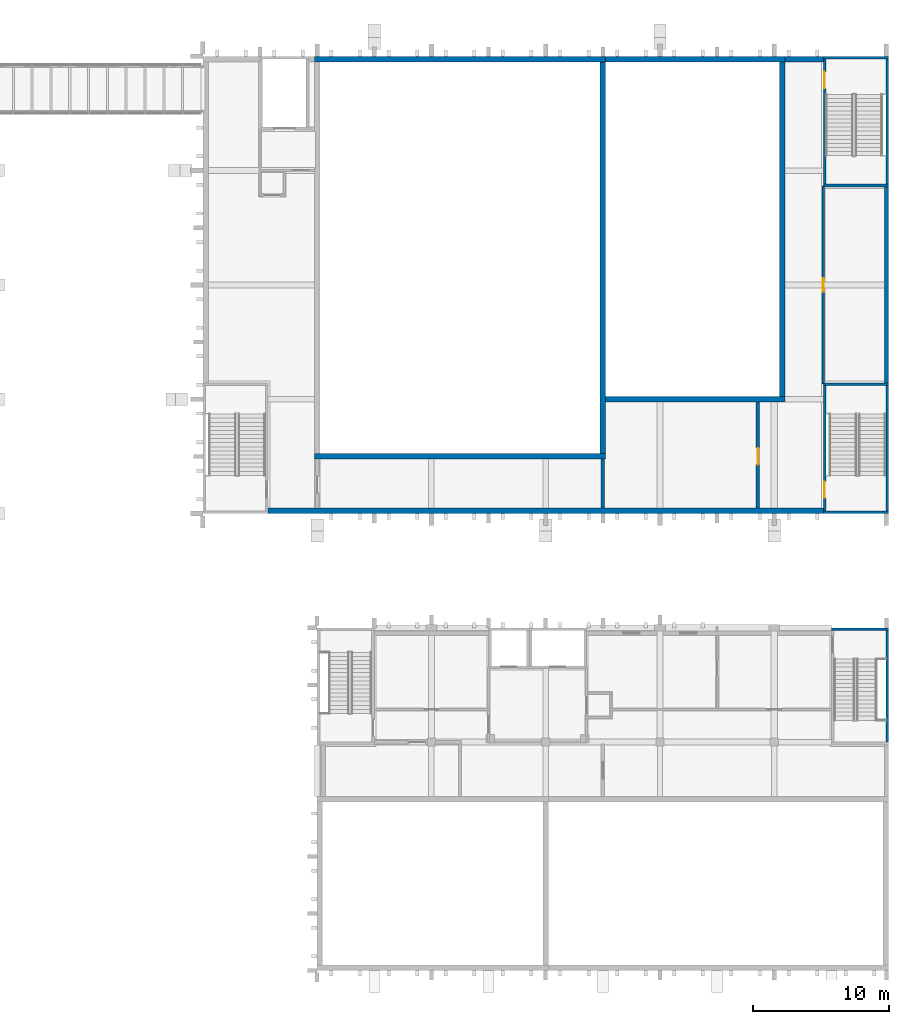
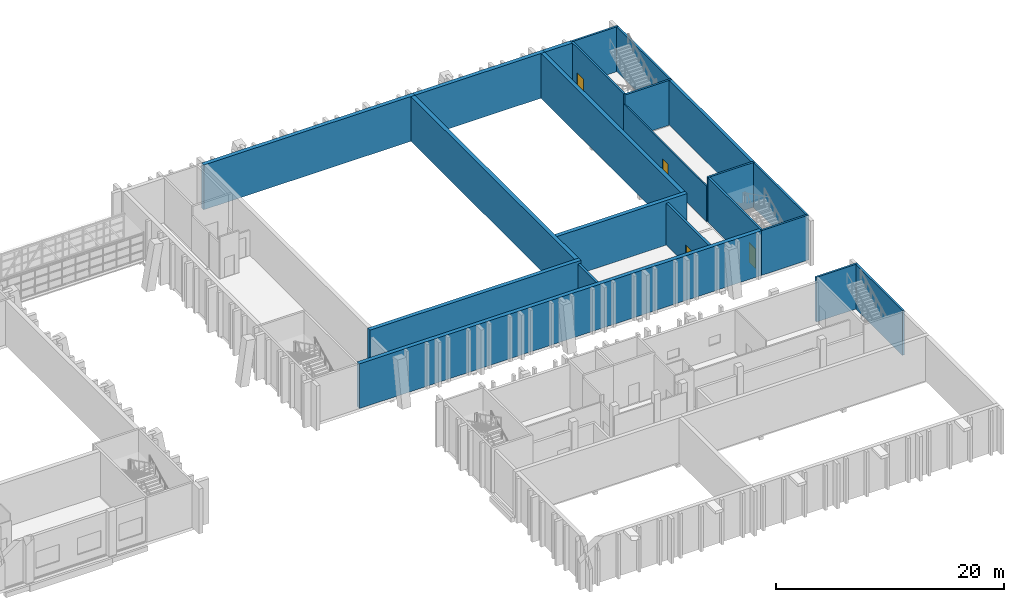
# One storey, part 40 of 91: 22 walls, 4 doors, 4 openings.
"""IFC4 building model written with IfcOpenShell, lengths in metres."""

from ifc_helpers import new_model, si_unit, direction, frame, frame_2d, origin, place, context, subcontext, project, spatial, rectangle, extrude, material, layer, layer_set, type_object, element, fill, save


model = new_model("IFC4")

# Units and contexts
model_context = context("Model", 3, precision=1e-05, world=origin(), true_north=direction((0.0, 1.0)))
body_context = subcontext(model_context, "Body", "Model", "MODEL_VIEW")
ifc_project = project(units=[si_unit("LENGTHUNIT", "METRE"), si_unit("AREAUNIT", "SQUARE_METRE"), si_unit("VOLUMEUNIT", "CUBIC_METRE"), si_unit("PLANEANGLEUNIT", "RADIAN"), si_unit("MASSUNIT", "GRAM", prefix="KILO")], contexts=[model_context])

# Site, building, storey
site_placement = place(None, origin())
site = spatial("IfcSite", under=ifc_project, at=site_placement, CompositionType="ELEMENT")
building_placement = place(site_placement, origin())
building = spatial("IfcBuilding", under=site, at=building_placement, Name="Kiln Court Media Centre", CompositionType="ELEMENT")
storey_placement = place(building_placement, frame((0.0, 0.0, 5.39990234375)))
storey = spatial("IfcBuildingStorey", under=building, at=storey_placement, Name="L01", CompositionType="ELEMENT", Elevation=5.39990234375)

# Walls
ifc_material_1 = material(Name="Concrete C40/50", Category="concrete")
ifc_layer_1 = layer(ifc_material_1, 0.39990234375)
ifc_layer_set_1 = layer_set([ifc_layer_1], Name="Concrete C40/50 auditorium wall 400")
wall_type_1 = type_object("IfcWallType", Name="Concrete C40/50 auditorium wall 400", PredefinedType="SHEAR", material=ifc_layer_set_1)
wall_1_placement = place(storey_placement, frame((163.199951171875, 33.800048828125, 0.0), z_axis=(0.0, 0.0, 1.0), x_axis=(-1.0, 0.0, 0.0)))
element("IfcWall", 1, at=wall_1_placement, inside=storey, type_object=wall_type_1, Name="L01-W-1142", PredefinedType="SHEAR", context=body_context, shape_type="SweptSolid", body=[
    extrude(rectangle(XDim=40.800048828125, YDim=0.39990234375, at=frame_2d((20.39990234375, 0.0))), origin(), (0.0, 0.0, 1.0), 4.800048828125),
])
wall_2_placement = place(storey_placement, frame((160.39990234375, 67.0, 0.0), z_axis=(0.0, 0.0, 1.0), x_axis=(1.0, 0.0, 0.0)))
element("IfcWall", 2, at=wall_2_placement, inside=storey, type_object=wall_type_1, Name="L01-W-1145", PredefinedType="SHEAR", context=body_context, shape_type="SweptSolid", body=[
    extrude(rectangle(XDim=2.800048828125, YDim=0.39990234375, at=frame_2d((1.39990234375, 0.0))), origin(), (0.0, 0.0, 1.0), 4.800048828125),
])
ifc_material_2 = material(Name="Concrete C40/50", Category="concrete")
ifc_layer_2 = layer(ifc_material_2, 0.300048828125)
ifc_layer_set_2 = layer_set([ifc_layer_2], Name="Concrete C40/50 party wall 300")
wall_type_2 = type_object("IfcWallType", Name="Concrete C40/50 party wall 300", PredefinedType="SOLIDWALL", material=ifc_layer_set_2)
wall_3_placement = place(storey_placement, frame((167.849609375, 57.60009765625, 0.0), z_axis=(0.0, 0.0, 1.0), x_axis=(0.0, -1.0, 0.0)))
element("IfcWall", 3, at=wall_3_placement, inside=storey, type_object=wall_type_2, Name="L01-W-1139", PredefinedType="SOLIDWALL", context=body_context, shape_type="SweptSolid", body=[
    extrude(rectangle(XDim=14.400146484375, YDim=0.300048828125, at=frame_2d((7.2001953125, 0.0))), origin(), (0.0, 0.0, 1.0), 4.800048828125),
])
ifc_material_3 = material(Name="Concrete C40/50", Category="concrete")
ifc_layer_3 = layer(ifc_material_3, 0.199951171875)
ifc_layer_set_3 = layer_set([ifc_layer_3], Name="Concrete C40/50 shear wall 200")
wall_type_3 = type_object("IfcWallType", Name="Concrete C40/50 shear wall 200", PredefinedType="SHEAR", material=ifc_layer_set_3)
for number, where, z_axis, x_axis, name in (
    (4, (167.99951171875, 33.699951171875, 0.0), (0.0, 0.0, 1.0), (-1.0, 0.0, 0.0), "L01-W-1052"),
    (5, (163.199951171875, 43.10009765625, 0.0), (0.0, 0.0, 1.0), (1.0, 0.0, 0.0), "L01-W-1053"),
):
    element("IfcWall", number, at=place(storey_placement, frame(where, z_axis=z_axis, x_axis=x_axis)), inside=storey, type_object=wall_type_3, Name=name, PredefinedType="SHEAR", context=body_context, shape_type="SweptSolid", body=[
        extrude(rectangle(XDim=4.799560546875, YDim=0.199951171875, at=frame_2d((2.39990234375, 0.0))), origin(), (0.0, 0.0, 1.0), 4.800048828125),
    ])

# Wall, opening, door
wall_4_placement = place(storey_placement, frame((163.300048828125, 33.800048828125, 0.0), z_axis=(0.0, 0.0, 1.0), x_axis=(0.0, 1.0, 0.0)))
wall_4 = element("IfcWall", 6, at=wall_4_placement, inside=storey, type_object=wall_type_3, Name="L01-W-1054", PredefinedType="SHEAR", context=body_context, shape_type="SweptSolid", body=[
    extrude(rectangle(XDim=9.199951171875, YDim=0.199951171875, at=frame_2d((4.60009765625, 0.0))), origin(), (0.0, 0.0, 1.0), 4.800048828125),
])
opening_1_placement = place(wall_4_placement, frame((0.949951171875, 0.0, 0.0)))
opening_1 = element("IfcOpeningElement", 7, at=opening_1_placement, cuts=wall_4, Name="Opening D1005", PredefinedType="OPENING", context=body_context, shape_type="SweptSolid", body=[
    extrude(rectangle(XDim=1.199951171875, YDim=2.10009765625, at=frame_2d((0.60009765625, 1.050048828125))), frame((0.0, 0.10986328125, 0.0), z_axis=(0.0, -1.0, 0.0), x_axis=(1.0, 0.0, 0.0)), (0.0, 0.0, 1.0), 0.219970703125),
])
ifc_material_4 = material(Name="Steel S275", Category="steel")
door_type_1 = type_object("IfcDoorType", Name="Steel stair door 1200 x 2100 FD180", OperationType="SINGLE_SWING_LEFT", PredefinedType="DOOR", material=ifc_material_4)
door_1_placement = place(opening_1_placement, origin())
door_1 = element("IfcDoor", 8, at=door_1_placement, inside=storey, type_object=door_type_1, Name="Control Gallery / Stair 14", OperationType="SINGLE_SWING_LEFT", OverallHeight=2.10009765625, OverallWidth=1.199951171875, PredefinedType="DOOR", context=body_context, shape_type="SweptSolid", body=[
    extrude(rectangle(XDim=1.199951171875, YDim=2.10009765625, at=frame_2d((0.60009765625, 1.050048828125))), frame((0.0, 0.02490234375, 0.0), z_axis=(0.0, -1.0, 0.0), x_axis=(1.0, 0.0, 0.0)), (0.0, 0.0, 1.0), 0.050048828125),
])
fill(opening_1, door_1)

# Walls
wall_5_placement = place(storey_placement, frame((167.899658203125, 43.0, 0.0), z_axis=(0.0, 0.0, 1.0), x_axis=(0.0, -1.0, 0.0)))
element("IfcWall", 9, at=wall_5_placement, inside=storey, type_object=wall_type_3, Name="L01-W-1055", PredefinedType="SHEAR", context=body_context, shape_type="SweptSolid", body=[
    extrude(rectangle(XDim=9.199951171875, YDim=0.199951171875, at=frame_2d((4.60009765625, 0.0))), origin(), (0.0, 0.0, 1.0), 4.800048828125),
])
for number, where, z_axis, x_axis, name in (
    (10, (167.99951171875, 57.699951171875, 0.0), (0.0, 0.0, 1.0), (-1.0, 0.0, 0.0), "L01-W-1056"),
    (11, (163.199951171875, 67.10009765625, 0.0), (0.0, 0.0, 1.0), (1.0, 0.0, 0.0), "L01-W-1057"),
):
    element("IfcWall", number, at=place(storey_placement, frame(where, z_axis=z_axis, x_axis=x_axis)), inside=storey, type_object=wall_type_3, Name=name, PredefinedType="SHEAR", context=body_context, shape_type="SweptSolid", body=[
        extrude(rectangle(XDim=4.799560546875, YDim=0.199951171875, at=frame_2d((2.39990234375, 0.0))), origin(), (0.0, 0.0, 1.0), 4.800048828125),
    ])

# Wall, opening, door
wall_6_placement = place(storey_placement, frame((163.300048828125, 57.800048828125, 0.0), z_axis=(0.0, 0.0, 1.0), x_axis=(0.0, 1.0, 0.0)))
wall_6 = element("IfcWall", 12, at=wall_6_placement, inside=storey, type_object=wall_type_3, Name="L01-W-1058", PredefinedType="SHEAR", context=body_context, shape_type="SweptSolid", body=[
    extrude(rectangle(XDim=9.199951171875, YDim=0.199951171875, at=frame_2d((4.60009765625, 0.0))), origin(), (0.0, 0.0, 1.0), 4.800048828125),
])
opening_2_placement = place(wall_6_placement, frame((7.050048828125, 0.0, 0.0)))
opening_2 = element("IfcOpeningElement", 13, at=opening_2_placement, cuts=wall_6, Name="Opening D1006", PredefinedType="OPENING", context=body_context, shape_type="SweptSolid", body=[
    extrude(rectangle(XDim=1.199951171875, YDim=2.10009765625, at=frame_2d((0.60009765625, 1.050048828125))), frame((0.0, 0.10986328125, 0.0), z_axis=(0.0, -1.0, 0.0), x_axis=(1.0, 0.0, 0.0)), (0.0, 0.0, 1.0), 0.219970703125),
])
door_2_placement = place(opening_2_placement, origin())
door_2 = element("IfcDoor", 14, at=door_2_placement, inside=storey, type_object=door_type_1, Name="Studio B Corridor / Stair 15", OperationType="SINGLE_SWING_RIGHT", OverallHeight=2.10009765625, OverallWidth=1.199951171875, PredefinedType="DOOR", context=body_context, shape_type="SweptSolid", body=[
    extrude(rectangle(XDim=1.199951171875, YDim=2.10009765625, at=frame_2d((0.60009765625, 1.050048828125))), frame((0.0, 0.02490234375, 0.0), z_axis=(0.0, -1.0, 0.0), x_axis=(1.0, 0.0, 0.0)), (0.0, 0.0, 1.0), 0.050048828125),
])
fill(opening_2, door_2)

# Walls
wall_7_placement = place(storey_placement, frame((167.899658203125, 67.0, 0.0), z_axis=(0.0, 0.0, 1.0), x_axis=(0.0, -1.0, 0.0)))
element("IfcWall", 15, at=wall_7_placement, inside=storey, type_object=wall_type_3, Name="L01-W-1059", PredefinedType="SHEAR", context=body_context, shape_type="SweptSolid", body=[
    extrude(rectangle(XDim=9.199951171875, YDim=0.199951171875, at=frame_2d((4.60009765625, 0.0))), origin(), (0.0, 0.0, 1.0), 4.800048828125),
])
wall_8_placement = place(storey_placement, frame((163.800048828125, 25.10009765625, 0.0), z_axis=(0.0, 0.0, 1.0), x_axis=(1.0, 0.0, 0.0)))
element("IfcWall", 16, at=wall_8_placement, inside=storey, type_object=wall_type_3, Name="L01-W-1065", PredefinedType="SHEAR", context=body_context, shape_type="SweptSolid", body=[
    extrude(rectangle(XDim=4.199462890625, YDim=0.199951171875, at=frame_2d((2.099609375, 0.0))), origin(), (0.0, 0.0, 1.0), 4.800048828125),
])
wall_9_placement = place(storey_placement, frame((167.899658203125, 25.0, 0.0), z_axis=(0.0, 0.0, 1.0), x_axis=(0.0, -1.0, 0.0)))
element("IfcWall", 17, at=wall_9_placement, inside=storey, type_object=wall_type_3, Name="L01-W-1067", PredefinedType="SHEAR", context=body_context, shape_type="SweptSolid", body=[
    extrude(rectangle(XDim=8.199951171875, YDim=0.199951171875, at=frame_2d((4.10009765625, 0.0))), origin(), (0.0, 0.0, 1.0), 4.800048828125),
])
ifc_material_5 = material(Name="Concrete C40/50", Category="concrete")
ifc_layer_4 = layer(ifc_material_5, 0.39990234375)
ifc_layer_set_4 = layer_set([ifc_layer_4], Name="Concrete C40/50 studio wall 400")
wall_type_4 = type_object("IfcWallType", Name="Concrete C40/50 studio wall 400", PredefinedType="SHEAR", material=ifc_layer_set_4)
for number, where, z_axis, x_axis, name in (
    (18, (147.199951171875, 37.800048828125, 0.0), (0.0, 0.0, 1.0), (-1.0, 0.0, 0.0), "L01-W-1125"),
    (19, (125.800048828125, 67.0, 0.0), (0.0, 0.0, 1.0), (1.0, 0.0, 0.0), "L01-W-1126"),
):
    element("IfcWall", number, at=place(storey_placement, frame(where, z_axis=z_axis, x_axis=x_axis)), inside=storey, type_object=wall_type_4, Name=name, PredefinedType="SHEAR", context=body_context, shape_type="SweptSolid", body=[
        extrude(rectangle(XDim=21.39990234375, YDim=0.39990234375, at=frame_2d((10.699951171875, 0.0))), origin(), (0.0, 0.0, 1.0), 4.800048828125),
    ])
wall_10_placement = place(storey_placement, frame((147.0, 66.800048828125, 0.0), z_axis=(0.0, 0.0, 1.0), x_axis=(0.0, -1.0, 0.0)))
element("IfcWall", 20, at=wall_10_placement, inside=storey, type_object=wall_type_4, Name="L01-W-1128", PredefinedType="SHEAR", context=body_context, shape_type="SweptSolid", body=[
    extrude(rectangle(XDim=28.800048828125, YDim=0.39990234375, at=frame_2d((14.39990234375, 0.0))), origin(), (0.0, 0.0, 1.0), 4.800048828125),
])
for number, where, z_axis, x_axis, name in (
    (21, (160.39990234375, 42.0, 0.0), (0.0, 0.0, 1.0), (-1.0, 0.0, 0.0), "L01-W-1129"),
    (22, (147.199951171875, 67.0, 0.0), (0.0, 0.0, 1.0), (1.0, 0.0, 0.0), "L01-W-1130"),
):
    element("IfcWall", number, at=place(storey_placement, frame(where, z_axis=z_axis, x_axis=x_axis)), inside=storey, type_object=wall_type_4, Name=name, PredefinedType="SHEAR", context=body_context, shape_type="SweptSolid", body=[
        extrude(rectangle(XDim=13.199951171875, YDim=0.39990234375, at=frame_2d((6.60009765625, 0.0))), origin(), (0.0, 0.0, 1.0), 4.800048828125),
    ])
wall_11_placement = place(storey_placement, frame((160.199951171875, 66.800048828125, 0.0), z_axis=(0.0, 0.0, 1.0), x_axis=(0.0, -1.0, 0.0)))
element("IfcWall", 23, at=wall_11_placement, inside=storey, type_object=wall_type_4, Name="L01-W-1131", PredefinedType="SHEAR", context=body_context, shape_type="SweptSolid", body=[
    extrude(rectangle(XDim=24.60009765625, YDim=0.39990234375, at=frame_2d((12.300048828125, 0.0))), origin(), (0.0, 0.0, 1.0), 4.800048828125),
])
ifc_material_6 = material(Name="Gypsum plasterboard", Category="gypsum")
ifc_layer_5 = layer(ifc_material_6, 0.25)
ifc_layer_set_5 = layer_set([ifc_layer_5], Name="Double-leaf acoustic wall 250 EI 120")
wall_type_5 = type_object("IfcWallType", Name="Double-leaf acoustic wall 250 EI 120", PredefinedType="PARTITIONING", material=ifc_layer_set_5)
wall_12_placement = place(storey_placement, frame((147.0, 34.0, 0.0), z_axis=(0.0, 0.0, 1.0), x_axis=(0.0, 1.0, 0.0)))
element("IfcWall", 24, at=wall_12_placement, inside=storey, type_object=wall_type_5, Name="L01 double-leaf acoustic wall", PredefinedType="PARTITIONING", context=body_context, shape_type="SweptSolid", body=[
    extrude(rectangle(XDim=3.60009765625, YDim=0.25, at=frame_2d((1.800048828125, 0.0))), origin(), (0.0, 0.0, 1.0), 4.5),
])

# Wall, opening, door
wall_13_placement = place(storey_placement, frame((158.39990234375, 34.0, 0.0), z_axis=(0.0, 0.0, 1.0), x_axis=(0.0, 1.0, 0.0)))
wall_13 = element("IfcWall", 25, at=wall_13_placement, inside=storey, type_object=wall_type_5, Name="L01 double-leaf acoustic wall", PredefinedType="PARTITIONING", context=body_context, shape_type="SweptSolid", body=[
    extrude(rectangle(XDim=7.800048828125, YDim=0.25, at=frame_2d((3.89990234375, 0.0))), origin(), (0.0, 0.0, 1.0), 4.5),
])
opening_3_placement = place(wall_13_placement, frame((3.199951171875, 0.0, 0.0)))
opening_3 = element("IfcOpeningElement", 26, at=opening_3_placement, cuts=wall_13, Name="Opening D1028", PredefinedType="OPENING", context=body_context, shape_type="SweptSolid", body=[
    extrude(rectangle(XDim=1.199951171875, YDim=2.10009765625, at=frame_2d((0.60009765625, 1.050048828125))), frame((0.0, 0.135009765625, 0.0), z_axis=(0.0, -1.0, 0.0), x_axis=(1.0, 0.0, 0.0)), (0.0, 0.0, 1.0), 0.27001953125),
])
ifc_material_7 = material(Name="Steel S275", Category="steel")
door_type_2 = type_object("IfcDoorType", Name="Acoustic studio door 1200 x 2100 FD180", OperationType="SINGLE_SWING_LEFT", PredefinedType="DOOR", material=ifc_material_7)
door_3_placement = place(opening_3_placement, origin())
door_3 = element("IfcDoor", 27, at=door_3_placement, inside=storey, type_object=door_type_2, Name="Control Room B / Control Gallery", OperationType="SINGLE_SWING_LEFT", OverallHeight=2.10009765625, OverallWidth=1.199951171875, PredefinedType="DOOR", context=body_context, shape_type="SweptSolid", body=[
    extrude(rectangle(XDim=1.199951171875, YDim=2.10009765625, at=frame_2d((0.60009765625, 1.050048828125))), frame((0.0, 0.02490234375, 0.0), z_axis=(0.0, -1.0, 0.0), x_axis=(1.0, 0.0, 0.0)), (0.0, 0.0, 1.0), 0.050048828125),
])
fill(opening_3, door_3)

ifc_material_8 = material(Name="Gypsum plasterboard", Category="gypsum")
ifc_layer_6 = layer(ifc_material_8, 0.14990234375)
ifc_layer_set_6 = layer_set([ifc_layer_6], Name="Gypsum corridor partition 150 EI 60")
wall_type_6 = type_object("IfcWallType", Name="Gypsum corridor partition 150 EI 60", PredefinedType="PARTITIONING", material=ifc_layer_set_6)
wall_14_placement = place(storey_placement, frame((163.199951171875, 43.125, 0.0), z_axis=(0.0, 0.0, 1.0), x_axis=(0.0, 1.0, 0.0)))
wall_14 = element("IfcWall", 28, at=wall_14_placement, inside=storey, type_object=wall_type_6, Name="L01 gypsum corridor partition", PredefinedType="PARTITIONING", context=body_context, shape_type="SweptSolid", body=[
    extrude(rectangle(XDim=14.550048828125, YDim=0.14990234375, at=frame_2d((7.27490234375, 0.0))), origin(), (0.0, 0.0, 1.0), 3.800048828125),
])
opening_4_placement = place(wall_14_placement, frame((6.77490234375, 0.0, 0.0)))
opening_4 = element("IfcOpeningElement", 29, at=opening_4_placement, cuts=wall_14, Name="Opening D1029", PredefinedType="OPENING", context=body_context, shape_type="SweptSolid", body=[
    extrude(rectangle(XDim=1.0, YDim=2.10009765625, at=frame_2d((0.5, 1.050048828125))), frame((0.0, 0.0849609375, 0.0), z_axis=(0.0, -1.0, 0.0), x_axis=(1.0, 0.0, 0.0)), (0.0, 0.0, 1.0), 0.169921875),
])
ifc_material_9 = material(Name="Steel S275", Category="steel")
door_type_3 = type_object("IfcDoorType", Name="Steel corridor door 1000 x 2100 FD30S", OperationType="SINGLE_SWING_LEFT", PredefinedType="DOOR", material=ifc_material_9)
door_4_placement = place(opening_4_placement, origin())
door_4 = element("IfcDoor", 30, at=door_4_placement, inside=storey, type_object=door_type_3, Name="Studio B Corridor / Dressing Rooms", OperationType="SINGLE_SWING_RIGHT", OverallHeight=2.10009765625, OverallWidth=1.0, PredefinedType="DOOR", context=body_context, shape_type="SweptSolid", body=[
    extrude(rectangle(XDim=1.0, YDim=2.10009765625, at=frame_2d((0.5, 1.050048828125))), frame((0.0, 0.02490234375, 0.0), z_axis=(0.0, -1.0, 0.0), x_axis=(1.0, 0.0, 0.0)), (0.0, 0.0, 1.0), 0.050048828125),
])
fill(opening_4, door_4)

save(model, "model.ifc")
